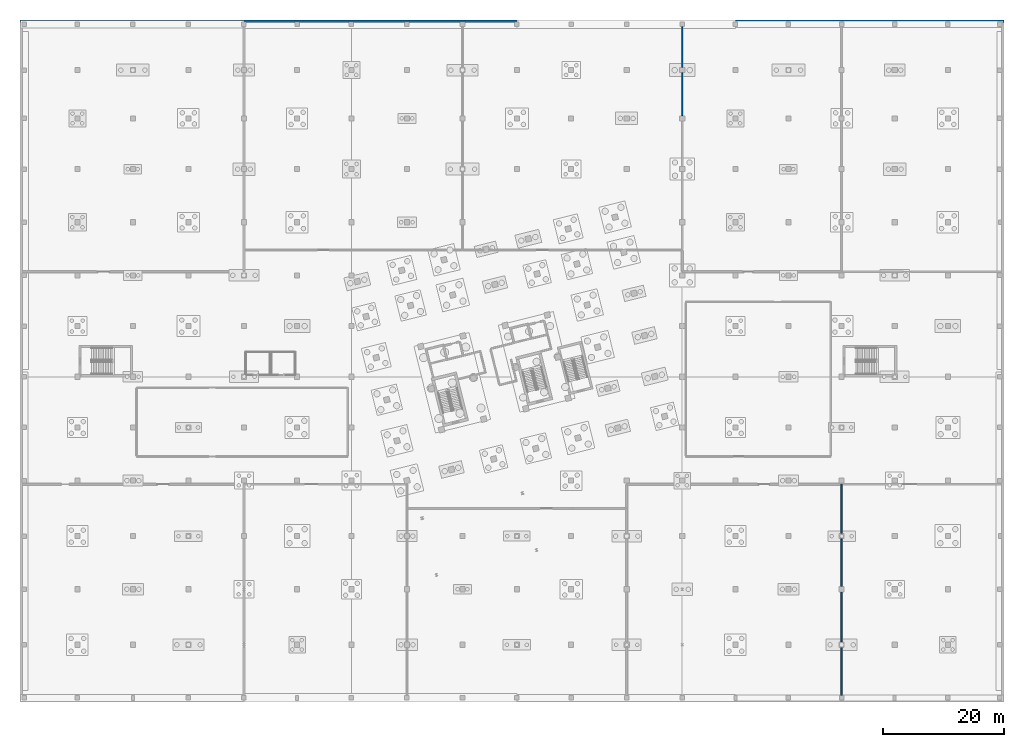
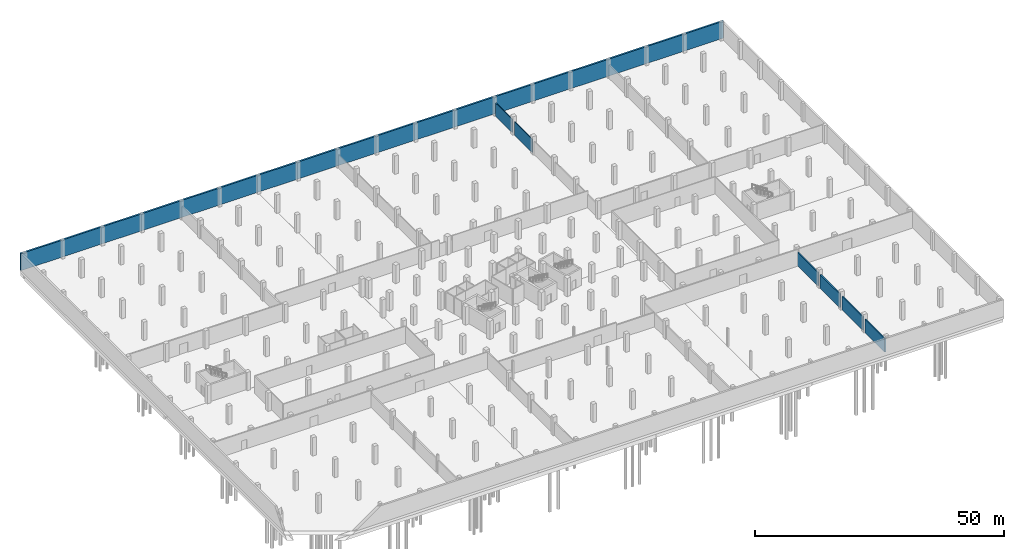
# One storey, part 22 of 29: 7 walls.
"""IFC4 building model written with IfcOpenShell, lengths in metres."""

from ifc_helpers import new_model, si_unit, direction, frame, frame_2d, origin, place, context, subcontext, project, spatial, rectangle, extrude, material, layer, layer_set, type_object, element, save


model = new_model("IFC4")

# Units and contexts
model_context = context("Model", 3, precision=1e-05, world=origin(), true_north=direction((0.0, 1.0)))
body_context = subcontext(model_context, "Body", "Model", "MODEL_VIEW")
ifc_project = project(units=[si_unit("LENGTHUNIT", "METRE"), si_unit("AREAUNIT", "SQUARE_METRE"), si_unit("VOLUMEUNIT", "CUBIC_METRE"), si_unit("PLANEANGLEUNIT", "RADIAN"), si_unit("MASSUNIT", "GRAM", prefix="KILO")], contexts=[model_context])

# Site, building, storey
site_placement = place(None, origin())
site = spatial("IfcSite", under=ifc_project, at=site_placement, CompositionType="ELEMENT")
building_placement = place(site_placement, origin())
building = spatial("IfcBuilding", under=site, at=building_placement, Name="Meriwether Solvik Hall", CompositionType="ELEMENT")
storey_placement = place(building_placement, frame((0.0, 0.0, -9.0)))
storey = spatial("IfcBuildingStorey", under=building, at=storey_placement, Name="B02", CompositionType="ELEMENT", Elevation=-9.0)

# Walls
ifc_material_1 = material(Name="Concrete C40/50", Category="concrete")
ifc_layer_1 = layer(ifc_material_1, 0.39990234375)
ifc_layer_set_1 = layer_set([ifc_layer_1], Name="Concrete C40/50")
wall_type_1 = type_object("IfcWallType", Name="WALL-BSMT-400", PredefinedType="STANDARD", material=ifc_layer_set_1)
wall_1_placement = place(storey_placement, frame((167.5, 117.300048828125, 0.0), z_axis=(0.0, 0.0, 1.0), x_axis=(-1.0, 0.0, 0.0)))
element("IfcWall", 1, at=wall_1_placement, inside=storey, type_object=wall_type_1, Name="B02 Perimeter Retaining Wall N", PredefinedType="STANDARD", context=body_context, shape_type="SweptSolid", body=[
    extrude(rectangle(XDim=163.0, YDim=0.39990234375, at=frame_2d((81.5, 0.0))), origin(), (0.0, 0.0, 1.0), 4.169921875),
])
ifc_material_2 = material(Name="Grouted Concrete Masonry Unit Block", Category="masonry")
ifc_layer_2 = layer(ifc_material_2, 0.18994140625)
ifc_layer_set_2 = layer_set([ifc_layer_2], Name="Grouted Concrete Masonry Unit Block")
wall_type_2 = type_object("IfcWallType", Name="WALL-CMU-190", PredefinedType="STANDARD", material=ifc_layer_set_2)
wall_2_placement = place(storey_placement, frame((114.199951171875, 101.639892578125, 0.0), z_axis=(0.0, 0.0, 1.0), x_axis=(0.0, 1.0, 0.0)))
element("IfcWall", 2, at=wall_2_placement, inside=storey, type_object=wall_type_2, Name="B02 Interior Partition mep_stg_e_s4", PredefinedType="STANDARD", context=body_context, shape_type="SweptSolid", body=[
    extrude(rectangle(XDim=7.1201171875, YDim=0.18994140625, at=frame_2d((3.56005859375, 0.0))), origin(), (0.0, 0.0, 1.0), 3.25),
])
wall_3_placement = place(storey_placement, frame((114.199951171875, 109.639892578125, 0.0), z_axis=(0.0, 0.0, 1.0), x_axis=(0.0, 1.0, 0.0)))
element("IfcWall", 3, at=wall_3_placement, inside=storey, type_object=wall_type_2, Name="B02 Interior Partition mep_stg_e_s5", PredefinedType="STANDARD", context=body_context, shape_type="SweptSolid", body=[
    extrude(rectangle(XDim=6.72021484375, YDim=0.18994140625, at=frame_2d((3.360107421875, 0.0))), origin(), (0.0, 0.0, 1.0), 3.25),
])
ifc_material_3 = material(Name="Concrete C35/45", Category="concrete")
ifc_layer_3 = layer(ifc_material_3, 0.280029296875)
ifc_layer_set_3 = layer_set([ifc_layer_3], Name="Concrete C35/45")
wall_type_3 = type_object("IfcWallType", Name="WALL-PLANT-280", PredefinedType="STANDARD", material=ifc_layer_set_3)
wall_4_placement = place(storey_placement, frame((140.60009765625, 5.639892578125, 0.0), z_axis=(0.0, 0.0, 1.0), x_axis=(0.0, 1.0, 0.0)))
element("IfcWall", 4, at=wall_4_placement, inside=storey, type_object=wall_type_3, Name="B02 Interior Partition tank_e", PredefinedType="STANDARD", context=body_context, shape_type="SweptSolid", body=[
    extrude(rectangle(XDim=7.920166015625, YDim=0.280029296875, at=frame_2d((3.9599609375, 0.0))), origin(), (0.0, 0.0, 1.0), 3.320068359375),
])
wall_5_placement = place(storey_placement, frame((140.60009765625, 14.43994140625, 0.0), z_axis=(0.0, 0.0, 1.0), x_axis=(0.0, 1.0, 0.0)))
element("IfcWall", 5, at=wall_5_placement, inside=storey, type_object=wall_type_3, Name="B02 Interior Partition tank_e_s2", PredefinedType="STANDARD", context=body_context, shape_type="SweptSolid", body=[
    extrude(rectangle(XDim=8.320068359375, YDim=0.280029296875, at=frame_2d((4.16015625, 0.0))), origin(), (0.0, 0.0, 1.0), 3.320068359375),
])
wall_6_placement = place(storey_placement, frame((140.60009765625, 23.639892578125, 0.0), z_axis=(0.0, 0.0, 1.0), x_axis=(0.0, 1.0, 0.0)))
element("IfcWall", 6, at=wall_6_placement, inside=storey, type_object=wall_type_3, Name="B02 Interior Partition tank_e_s3", PredefinedType="STANDARD", context=body_context, shape_type="SweptSolid", body=[
    extrude(rectangle(XDim=7.920166015625, YDim=0.280029296875, at=frame_2d((3.9599609375, 0.0))), origin(), (0.0, 0.0, 1.0), 3.320068359375),
])
wall_7_placement = place(storey_placement, frame((140.60009765625, 32.43994140625, 0.0), z_axis=(0.0, 0.0, 1.0), x_axis=(0.0, 1.0, 0.0)))
element("IfcWall", 7, at=wall_7_placement, inside=storey, type_object=wall_type_3, Name="B02 Interior Partition tank_e_s4", PredefinedType="STANDARD", context=body_context, shape_type="SweptSolid", body=[
    extrude(rectangle(XDim=8.16015625, YDim=0.280029296875, at=frame_2d((4.080078125, 0.0))), origin(), (0.0, 0.0, 1.0), 3.320068359375),
])

save(model, "model.ifc")
